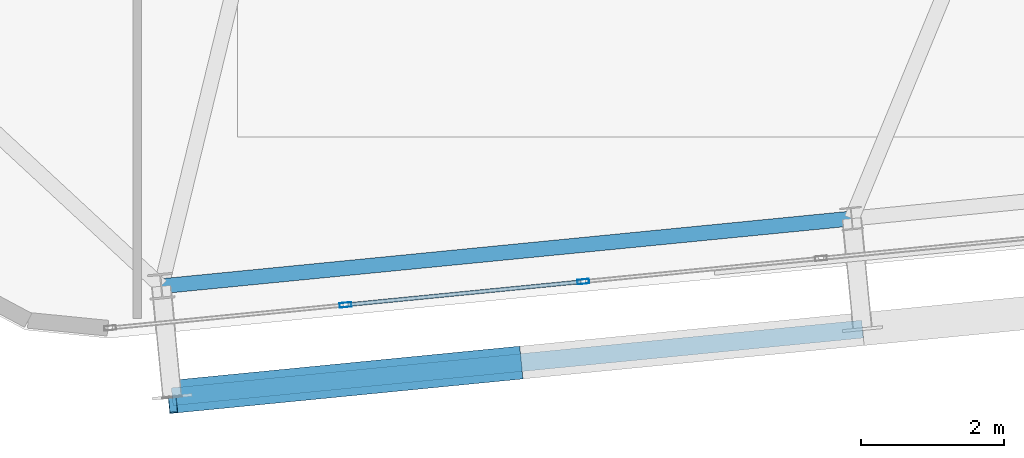
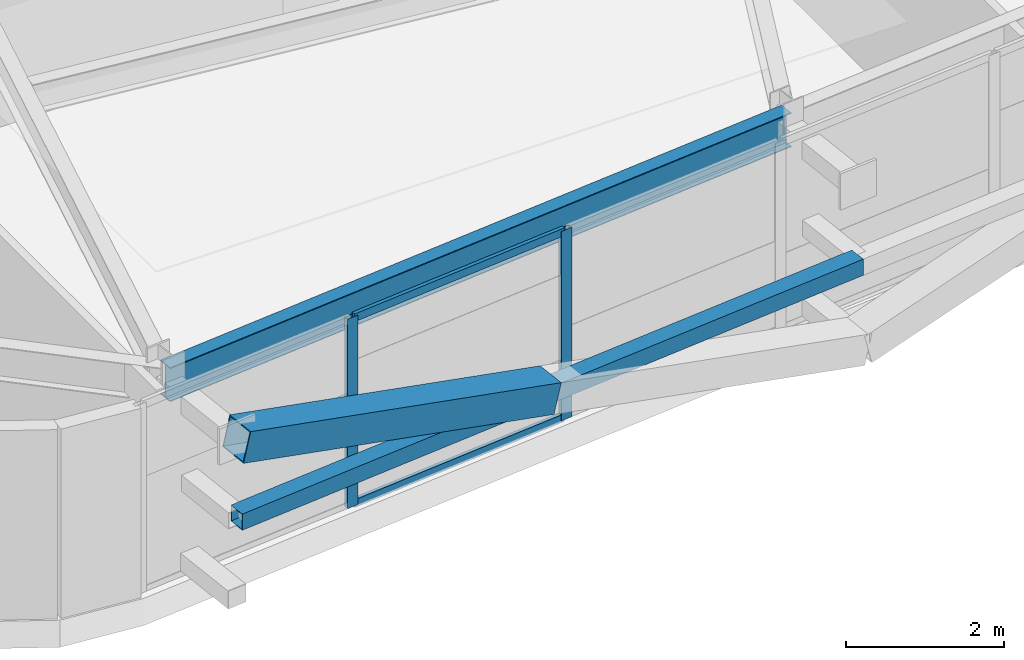
# One storey, part 6 of 51: 6 members, 1 beam, 1 element without a shape of its own.
"""IFC4 building model written with IfcOpenShell, lengths in metres."""

from ifc_helpers import new_model, si_unit, direction, frame, origin, origin_2d, place, context, subcontext, project, spatial, hollow_rectangle, i_section, extrude, source, transform, mapped, material, layer, layer_set, material_profile, profile_set, type_object, element, aggregate, save


model = new_model("IFC4")

# Units and contexts
model_context = context("Model", 3, precision=1e-05, world=origin(), true_north=direction((0.0, 1.0)))
body_context = subcontext(model_context, "Body", "Model", "MODEL_VIEW")
ifc_project = project(units=[si_unit("LENGTHUNIT", "METRE"), si_unit("AREAUNIT", "SQUARE_METRE"), si_unit("VOLUMEUNIT", "CUBIC_METRE"), si_unit("PLANEANGLEUNIT", "RADIAN"), si_unit("MASSUNIT", "GRAM", prefix="KILO")], contexts=[model_context])

# Site, building, storey
site_placement = place(None, origin())
site = spatial("IfcSite", under=ifc_project, at=site_placement, CompositionType="ELEMENT")
building_placement = place(site_placement, origin())
building = spatial("IfcBuilding", under=site, at=building_placement, Name="Taldren Reach Tower", CompositionType="ELEMENT")
storey_placement = place(building_placement, frame((0.0, 0.0, 65.10009765625)))
storey = spatial("IfcBuildingStorey", under=building, at=storey_placement, Name="L19", CompositionType="ELEMENT", Elevation=65.10009765625)

# Beam
ifc_material_1 = material(Name="Steel Gr 350 (350PLUS)", Category="steel")
ifc_material_profile_1 = material_profile(ifc_material_1, i_section(OverallWidth=0.208984375, OverallDepth=0.528076171875, WebThickness=0.009521484375, FlangeThickness=0.01318359375, at=origin_2d()), Name="530UB82.0")
ifc_profile_set_1 = profile_set([ifc_material_profile_1], Name="Steel Gr 350 (350PLUS)")
beam_type = type_object("IfcBeamType", Name="SP-UB530B", PredefinedType="SPANDREL", material=ifc_profile_set_1)
shared_shape_1 = source(origin(), body_context, "Body", "SweptSolid", [
    extrude(i_section(OverallWidth=0.208984375, OverallDepth=0.528076171875, WebThickness=0.009521484375, FlangeThickness=0.01318359375, at=origin_2d()), origin(), (0.0, 0.0, 1.0), 9.679931640625),
])
beam_placement = place(storey_placement, frame((14.93408203125, -0.079833984375, 2.666015625), z_axis=(0.995227612658, 0.097580730699, 0.0), x_axis=(-0.097580730699, 0.995227612658, 0.0)))
element("IfcBeam", 1, at=beam_placement, inside=storey, type_object=beam_type, Name="Perimeter spandrel B2 S1-S2 L19", PredefinedType="SPANDREL", context=body_context, shape_type="MappedRepresentation", body=[
    mapped(shared_shape_1, transform((0.0, 0.0, 0.0), scale=1.0)),
])

# Members
ifc_material_2 = material(Name="Steel Gr 450 (C450L0)", Category="steel")
ifc_material_profile_2 = material_profile(ifc_material_2, hollow_rectangle(XDim=0.4599609375, YDim=0.4599609375, WallThickness=0.01611328125, at=origin_2d()), Name="460x460x16.0SHS")
ifc_profile_set_2 = profile_set([ifc_material_profile_2], Name="Steel Gr 450 (C450L0)")
member_type_1 = type_object("IfcMemberType", Name="MB-EXO457", PredefinedType="BRACE", material=ifc_profile_set_2)
shared_shape_2 = source(origin(), body_context, "Body", "SweptSolid", [
    extrude(hollow_rectangle(XDim=0.4599609375, YDim=0.4599609375, WallThickness=0.01611328125, at=origin_2d()), origin(), (0.0, 0.0, 1.0), 4.990234375),
])
member_1_placement = place(storey_placement, frame((19.90234375, -1.150146484375, 1.434814453125), z_axis=(-0.965271056716, -0.094667992638, 0.243494883389), x_axis=(0.097605711627, -0.995225162995, 0.0)))
element("IfcMember", 2, at=member_1_placement, inside=storey, type_object=member_type_1, Name="Exoskeleton Diagrid Brace B2-S1 L19", PredefinedType="BRACE", context=body_context, shape_type="MappedRepresentation", body=[
    mapped(shared_shape_2, transform((0.0, 0.0, 0.0), scale=1.0)),
])
ifc_material_3 = material(Name="Steel Gr 350 (C350L0)", Category="steel")
ifc_material_profile_3 = material_profile(ifc_material_3, hollow_rectangle(XDim=0.25, YDim=0.25, WallThickness=0.010009765625, at=origin_2d()), Name="250x250x10.0SHS")
ifc_profile_set_3 = profile_set([ifc_material_profile_3], Name="Steel Gr 350 (C350L0)")
member_type_2 = type_object("IfcMemberType", Name="MB-POST250", PredefinedType="POST", material=ifc_profile_set_3)
shared_shape_3 = source(origin(), body_context, "Body", "SweptSolid", [
    extrude(hollow_rectangle(XDim=0.25, YDim=0.25, WallThickness=0.010009765625, at=origin_2d()), origin(), (0.0, 0.0, 1.0), 9.679931640625),
])
member_2_placement = place(storey_placement, frame((15.08544921875, -1.62255859375, 1.434814453125), z_axis=(0.995227612658, 0.097580730699, 0.0), x_axis=(-0.097580730699, 0.995227612658, 0.0)))
element("IfcMember", 3, at=member_2_placement, inside=storey, type_object=member_type_2, Name="Exoskeleton mid-height ring chord B2-S1 L19", PredefinedType="POST", context=body_context, shape_type="MappedRepresentation", body=[
    mapped(shared_shape_3, transform((0.0, 0.0, 0.0), scale=1.0)),
])

# Curtain wall, members
ifc_material_4 = material(Name="Aluminium and Low-E Glass Unitised System", Category="aluminium")
ifc_layer = layer(ifc_material_4, 0.159912109375)
ifc_layer_set = layer_set([ifc_layer], Name="Aluminium and Low-E Glass Unitised System")
curtain_wall_type = type_object("IfcCurtainWallType", Name="CW-SYS-3", PredefinedType="NOTDEFINED", material=ifc_layer_set)
curtain_wall_placement = place(storey_placement, origin())
curtain_wall = element("IfcCurtainWall", 4, at=curtain_wall_placement, inside=storey, type_object=curtain_wall_type, Name="Unitised curtain wall CW-L19-S", PredefinedType="NOTDEFINED")
ifc_material_5 = material(Name="Anodised Aluminium 6063-T6", Category="aluminium")
ifc_material_profile_4 = material_profile(ifc_material_5, hollow_rectangle(XDim=0.06494140625, YDim=0.1650390625, WallThickness=0.00390625, at=origin_2d()), Name="ALU-165x65x4RHS")
ifc_profile_set_4 = profile_set([ifc_material_profile_4], Name="Anodised Aluminium 6063-T6")
member_type_3 = type_object("IfcMemberType", Name="CW-MUL-165", PredefinedType="MULLION", material=ifc_profile_set_4)
shared_shape_4 = source(origin(), body_context, "Body", "SweptSolid", [
    extrude(hollow_rectangle(XDim=0.06494140625, YDim=0.1650390625, WallThickness=0.00390625, at=origin_2d()), origin(), (0.0, 0.0, 1.0), 2.929931640625),
])
member_3_placement = place(storey_placement, frame((17.505126953125, -0.34033203125, 0.0), z_axis=(0.0, 0.0, 1.0), x_axis=(-0.097582999046, 0.995227390247, 0.0)))
member_3 = element("IfcMember", 5, at=member_3_placement, type_object=member_type_3, Name="CW-3 mullion 2", PredefinedType="MULLION", context=body_context, shape_type="MappedRepresentation", body=[
    mapped(shared_shape_4, transform((0.0, 0.0, 0.0), scale=1.0)),
])
member_4_placement = place(storey_placement, frame((20.822509765625, -0.014892578125, 0.0), z_axis=(0.0, 0.0, 1.0), x_axis=(-0.097582999046, 0.995227390247, 0.0)))
member_4 = element("IfcMember", 6, at=member_4_placement, type_object=member_type_3, Name="CW-3 mullion 3", PredefinedType="MULLION", context=body_context, shape_type="MappedRepresentation", body=[
    mapped(shared_shape_4, transform((0.0, 0.0, 0.0), scale=1.0)),
])
ifc_material_profile_5 = material_profile(ifc_material_5, hollow_rectangle(XDim=0.054931640625, YDim=0.1201171875, WallThickness=0.0029296875, at=origin_2d()), Name="ALU-120x55x3RHS")
ifc_profile_set_5 = profile_set([ifc_material_profile_5], Name="Anodised Aluminium 6063-T6")
member_type_4 = type_object("IfcMemberType", Name="CW-TRN-135", PredefinedType="USERDEFINED", material=ifc_profile_set_5)
shared_shape_5 = source(origin(), body_context, "Body", "SweptSolid", [
    extrude(hollow_rectangle(XDim=0.054931640625, YDim=0.1201171875, WallThickness=0.0029296875, at=origin_2d()), origin(), (0.0, 0.0, 1.0), 3.268310546875),
])
member_5_placement = place(storey_placement, frame((17.53759765625, -0.337158203125, 0.02734375), z_axis=(0.995222549564, 0.097632355496, 0.0), x_axis=(-0.097632355496, 0.995222549564, 0.0)))
member_5 = element("IfcMember", 7, at=member_5_placement, type_object=member_type_4, Name="CW-3 transom 2.1", ObjectType="TRANSOM", PredefinedType="USERDEFINED", context=body_context, shape_type="MappedRepresentation", body=[
    mapped(shared_shape_5, transform((0.0, 0.0, 0.0), scale=1.0)),
])
member_6_placement = place(storey_placement, frame((17.53759765625, -0.337158203125, 2.90234375), z_axis=(0.995222549564, 0.097632355496, 0.0), x_axis=(-0.097632355496, 0.995222549564, 0.0)))
member_6 = element("IfcMember", 8, at=member_6_placement, type_object=member_type_4, Name="CW-3 transom 2.2", ObjectType="TRANSOM", PredefinedType="USERDEFINED", context=body_context, shape_type="MappedRepresentation", body=[
    mapped(shared_shape_5, transform((0.0, 0.0, 0.0), scale=1.0)),
])
aggregate(curtain_wall, [member_3, member_4, member_5, member_6])

save(model, "model.ifc")
